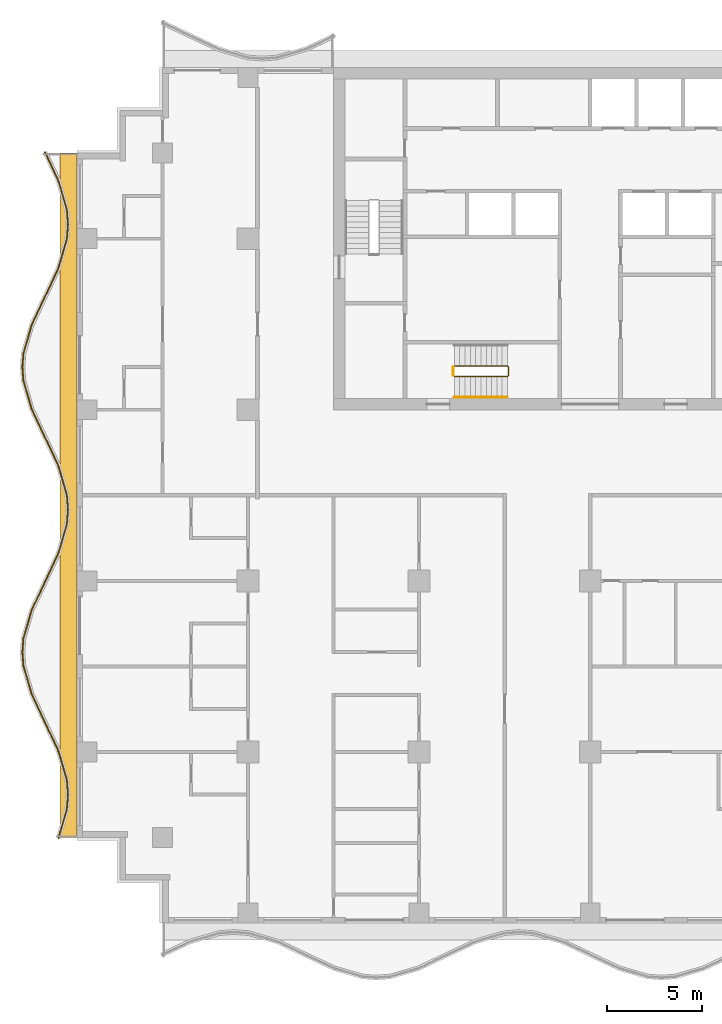
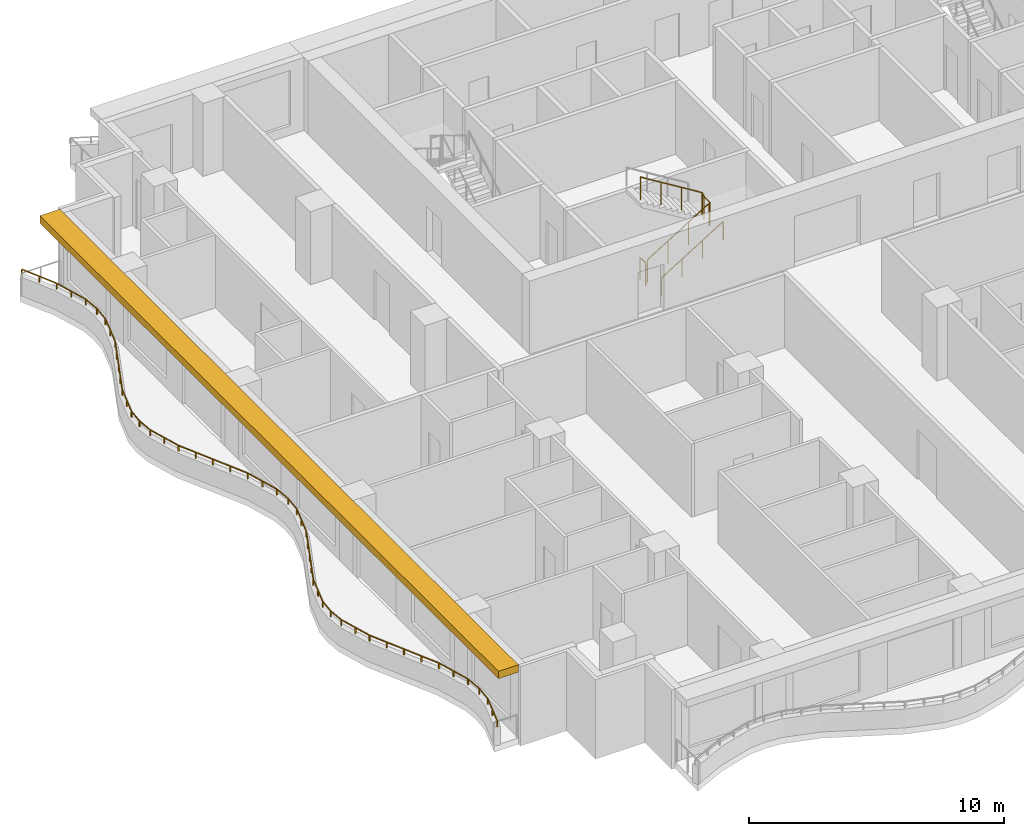
# One storey, part 9 of 11: 4 railings, 1 shading device.
"""IFC4 building model written with IfcOpenShell, lengths in metres."""

from ifc_helpers import new_model, si_unit, direction, frame, origin, origin_2d, place, context, subcontext, project, spatial, polyline, rectangle, circle, outline, extrude, material, layer, layer_set, type_object, element, save


model = new_model("IFC4")

# Units and contexts
model_context = context("Model", 3, precision=1e-05, world=origin(), true_north=direction((0.0, 1.0)))
body_context = subcontext(model_context, "Body", "Model", "MODEL_VIEW")
ifc_project = project(units=[si_unit("LENGTHUNIT", "METRE"), si_unit("AREAUNIT", "SQUARE_METRE"), si_unit("VOLUMEUNIT", "CUBIC_METRE"), si_unit("PLANEANGLEUNIT", "RADIAN"), si_unit("MASSUNIT", "GRAM", prefix="KILO")], contexts=[model_context])

# Site, building, storey
site_placement = place(None, origin())
site = spatial("IfcSite", under=ifc_project, at=site_placement, CompositionType="ELEMENT")
building_placement = place(site_placement, origin())
building = spatial("IfcBuilding", under=site, at=building_placement, Name="Orbiselva Terraces", CompositionType="ELEMENT")
storey_placement = place(building_placement, frame((0.0, 0.0, 195.8)))
storey = spatial("IfcBuildingStorey", under=building, at=storey_placement, Name="L49", CompositionType="ELEMENT", Elevation=195.8)

# Railings
ifc_material_1 = material(Name="Stainless steel", Category="steel")
railing_type_1 = type_object("IfcRailingType", Name="CORE-GUARD-1100", PredefinedType="GUARDRAIL", material=ifc_material_1)
railing_1_placement = place(storey_placement, frame((-7.15, 6.25, 0.172727)))
element("IfcRailing", 1, at=railing_1_placement, inside=storey, type_object=railing_type_1, Name="L49 S3 stair guard 1", PredefinedType="GUARDRAIL", context=body_context, shape_type="SweptSolid", body=[
    extrude(circle(Radius=0.024, at=origin_2d()), frame((0.0, 0.0, 1.081), z_axis=(0.851088519012, 0.0, 0.52502222125), x_axis=(0.0, 1.0, 0.0)), (0.0, 0.0, 1.0), 3.289905),
    extrude(circle(Radius=0.024, at=origin_2d()), frame((2.8, 0.0, 2.808273), z_axis=(0.707106781187, 0.707106781187, 0.0), x_axis=(-0.707106781187, 0.707106781187, 0.0)), (0.0, 0.0, 1.0), 0.070711),
    extrude(circle(Radius=0.024, at=origin_2d()), frame((2.85, 0.05, 2.808273), z_axis=(0.0, 1.0, 0.0), x_axis=(-1.0, 0.0, 0.0)), (0.0, 0.0, 1.0), 0.45),
    extrude(circle(Radius=0.024, at=origin_2d()), frame((2.85, 0.5, 2.808273), z_axis=(-0.267894925557, 0.267894925557, 0.925453736133), x_axis=(-0.707106781187, -0.707106781187, 0.0)), (0.0, 0.0, 1.0), 0.18664),
    extrude(circle(Radius=0.024, at=origin_2d()), frame((2.8, 0.55, 2.981), z_axis=(-0.851088519012, 0.0, 0.52502222125), x_axis=(0.0, -1.0, 0.0)), (0.0, 0.0, 1.0), 3.289905),
    extrude(circle(Radius=0.021, at=origin_2d()), origin(), (0.0, 0.0, 1.0), 1.057),
    extrude(circle(Radius=0.021, at=origin_2d()), frame((0.933333, 0.0, 0.575758)), (0.0, 0.0, 1.0), 1.057),
    extrude(circle(Radius=0.021, at=origin_2d()), frame((1.866667, 0.0, 1.151515)), (0.0, 0.0, 1.0), 1.057),
    extrude(circle(Radius=0.021, at=origin_2d()), frame((2.8, 0.0, 1.727273)), (0.0, 0.0, 1.0), 1.057),
    extrude(circle(Radius=0.021, at=origin_2d()), frame((2.85, 0.05, 1.727273)), (0.0, 0.0, 1.0), 1.057),
    extrude(circle(Radius=0.021, at=origin_2d()), frame((2.85, 0.5, 1.727273)), (0.0, 0.0, 1.0), 1.057),
    extrude(circle(Radius=0.021, at=origin_2d()), frame((2.8, 0.55, 1.9)), (0.0, 0.0, 1.0), 1.057),
    extrude(circle(Radius=0.021, at=origin_2d()), frame((1.866667, 0.55, 2.475758)), (0.0, 0.0, 1.0), 1.057),
    extrude(circle(Radius=0.021, at=origin_2d()), frame((0.933333, 0.55, 3.051515)), (0.0, 0.0, 1.0), 1.057),
    extrude(circle(Radius=0.021, at=origin_2d()), frame((0.0, 0.55, 3.627273)), (0.0, 0.0, 1.0), 1.057),
])
railing_2_placement = place(storey_placement, frame((-7.2, 6.3, 0.0)))
element("IfcRailing", 2, at=railing_2_placement, inside=storey, type_object=railing_type_1, Name="L49 S3 stair guard 2", PredefinedType="GUARDRAIL", context=body_context, shape_type="SweptSolid", body=[
    extrude(circle(Radius=0.024, at=origin_2d()), frame((0.0, 0.0, 1.081), z_axis=(0.0, 1.0, 0.0), x_axis=(-1.0, 0.0, 0.0)), (0.0, 0.0, 1.0), 0.45),
    extrude(circle(Radius=0.021, at=origin_2d()), origin(), (0.0, 0.0, 1.0), 1.057),
    extrude(circle(Radius=0.021, at=origin_2d()), frame((0.0, 0.45, 0.0)), (0.0, 0.0, 1.0), 1.057),
])
railing_type_2 = type_object("IfcRailingType", Name="CORE-HANDRAIL-900", PredefinedType="HANDRAIL", material=ifc_material_1)
railing_3_placement = place(storey_placement, frame((-7.15, 5.15, 0.172727)))
element("IfcRailing", 3, at=railing_3_placement, inside=storey, type_object=railing_type_2, Name="L49 S3 stair handrail 1", PredefinedType="HANDRAIL", context=body_context, shape_type="SweptSolid", body=[
    extrude(circle(Radius=0.024, at=origin_2d()), frame((0.0, 0.0, 0.876), z_axis=(0.851088519012, 0.0, 0.52502222125), x_axis=(0.0, 1.0, 0.0)), (0.0, 0.0, 1.0), 3.289905),
    extrude(circle(Radius=0.021, at=origin_2d()), origin(), (0.0, 0.0, 1.0), 0.852),
    extrude(circle(Radius=0.021, at=origin_2d()), frame((0.933333, 0.0, 0.575758)), (0.0, 0.0, 1.0), 0.852),
    extrude(circle(Radius=0.021, at=origin_2d()), frame((1.866667, 0.0, 1.151515)), (0.0, 0.0, 1.0), 0.852),
    extrude(circle(Radius=0.021, at=origin_2d()), frame((2.8, 0.0, 1.727273)), (0.0, 0.0, 1.0), 0.852),
])
ifc_material_2 = material(Name="Bonded two-ply safety glass balustrade, stainless steel posts", Category="steel")
railing_type_3 = type_object("IfcRailingType", Name="ENV-BALUSTRADE-1200", PredefinedType="BALUSTRADE", material=ifc_material_2)
railing_4_placement = place(storey_placement, frame((-28.686882, 18.053191, 0.9)))
element("IfcRailing", 4, at=railing_4_placement, inside=storey, type_object=railing_type_3, Name="Balcony balustrade L49 W", PredefinedType="BALUSTRADE", context=body_context, shape_type="SweptSolid", body=[
    extrude(outline(polyline([(0.028868, 0.0), (0.014434, 0.025), (-0.014434, 0.025), (-0.028868, 0.0), (-0.014434, -0.025), (0.014434, -0.025), (0.028868, 0.0)])), frame((0.0, 0.0, 0.275), z_axis=(0.425530342069, -0.904944157382, 0.0), x_axis=(0.904944157382, 0.425530342069, 0.0)), (0.0, 0.0, 1.0), 1.667376),
    extrude(outline(polyline([(0.028868, 0.0), (0.014434, 0.025), (-0.014434, 0.025), (-0.028868, 0.0), (-0.014434, -0.025), (0.014434, -0.025), (0.028868, 0.0)])), frame((0.709519, -1.508882, 0.275), z_axis=(0.279070928786, -0.960270491427, 0.0), x_axis=(0.960270491427, 0.279070928786, 0.0)), (0.0, 0.0, 1.0), 1.584712),
    extrude(outline(polyline([(0.028868, 0.0), (0.014434, 0.025), (-0.014434, 0.025), (-0.028868, 0.0), (-0.014434, -0.025), (0.014434, -0.025), (0.028868, 0.0)])), frame((1.151766, -3.030634, 0.275), z_axis=(0.078071061106, -0.996947796737, 0.0), x_axis=(0.996947796737, 0.078071061106, 0.0)), (0.0, 0.0, 1.0), 0.774922),
    extrude(outline(polyline([(0.028868, 0.0), (0.014434, 0.025), (-0.014434, 0.025), (-0.028868, 0.0), (-0.014434, -0.025), (0.014434, -0.025), (0.028868, 0.0)])), frame((1.212265, -3.803191, 0.275), z_axis=(-0.078071061106, -0.996947796737, 0.0), x_axis=(0.996947796737, -0.078071061106, 0.0)), (0.0, 0.0, 1.0), 0.774922),
    extrude(outline(polyline([(0.028868, 0.0), (0.014434, 0.025), (-0.014434, 0.025), (-0.028868, 0.0), (-0.014434, -0.025), (0.014434, -0.025), (0.028868, 0.0)])), frame((1.151766, -4.575748, 0.275), z_axis=(-0.279070928786, -0.960270491427, 0.0), x_axis=(0.960270491427, -0.279070928786, 0.0)), (0.0, 0.0, 1.0), 1.584712),
    extrude(outline(polyline([(0.028868, 0.0), (0.014434, 0.025), (-0.014434, 0.025), (-0.028868, 0.0), (-0.014434, -0.025), (0.014434, -0.025), (0.028868, 0.0)])), frame((0.709519, -6.0975, 0.275), z_axis=(-0.425530342069, -0.904944157382, 0.0), x_axis=(0.904944157382, -0.425530342069, 0.0)), (0.0, 0.0, 1.0), 1.667376),
    extrude(outline(polyline([(0.028868, 0.0), (0.014434, 0.025), (-0.014434, 0.025), (-0.028868, 0.0), (-0.014434, -0.025), (0.014434, -0.025), (0.028868, 0.0)])), frame((0.0, -7.606382, 0.275), z_axis=(-0.425529912322, -0.904944359461, 0.0), x_axis=(0.904944359461, -0.425529912322, 0.0)), (0.0, 0.0, 1.0), 1.647746),
    extrude(outline(polyline([(0.028868, 0.0), (0.014434, 0.025), (-0.014434, 0.025), (-0.028868, 0.0), (-0.014434, -0.025), (0.014434, -0.025), (0.028868, 0.0)])), frame((-0.701165, -9.0975, 0.275), z_axis=(-0.279071528957, -0.960270317007, 0.0), x_axis=(0.960270317007, -0.279071528957, 0.0)), (0.0, 0.0, 1.0), 1.539408),
    extrude(outline(polyline([(0.028868, 0.0), (0.014434, 0.025), (-0.014434, 0.025), (-0.028868, 0.0), (-0.014434, -0.025), (0.014434, -0.025), (0.028868, 0.0)])), frame((-1.13077, -10.575748, 0.275), z_axis=(-0.078069536776, -0.996947916106, 0.0), x_axis=(0.996947916106, -0.078069536776, 0.0)), (0.0, 0.0, 1.0), 0.72967),
    extrude(outline(polyline([(0.028868, 0.0), (0.014434, 0.025), (-0.014434, 0.025), (-0.028868, 0.0), (-0.014434, -0.025), (0.014434, -0.025), (0.028868, 0.0)])), frame((-1.187735, -11.303191, 0.275), z_axis=(0.078069536776, -0.996947916106, 0.0), x_axis=(0.996947916106, 0.078069536776, 0.0)), (0.0, 0.0, 1.0), 0.72967),
    extrude(outline(polyline([(0.028868, 0.0), (0.014434, 0.025), (-0.014434, 0.025), (-0.028868, 0.0), (-0.014434, -0.025), (0.014434, -0.025), (0.028868, 0.0)])), frame((-1.13077, -12.030634, 0.275), z_axis=(0.279071528957, -0.960270317007, 0.0), x_axis=(0.960270317007, 0.279071528957, 0.0)), (0.0, 0.0, 1.0), 1.539408),
    extrude(outline(polyline([(0.028868, 0.0), (0.014434, 0.025), (-0.014434, 0.025), (-0.028868, 0.0), (-0.014434, -0.025), (0.014434, -0.025), (0.028868, 0.0)])), frame((-0.701165, -13.508882, 0.275), z_axis=(0.425529912322, -0.904944359461, 0.0), x_axis=(0.904944359461, 0.425529912322, 0.0)), (0.0, 0.0, 1.0), 1.647746),
    extrude(outline(polyline([(0.028868, 0.0), (0.014434, 0.025), (-0.014434, 0.025), (-0.028868, 0.0), (-0.014434, -0.025), (0.014434, -0.025), (0.028868, 0.0)])), frame((0.0, -15.0, 0.275), z_axis=(0.425530342069, -0.904944157382, 0.0), x_axis=(0.904944157382, 0.425530342069, 0.0)), (0.0, 0.0, 1.0), 1.667376),
    extrude(outline(polyline([(0.028868, 0.0), (0.014434, 0.025), (-0.014434, 0.025), (-0.028868, 0.0), (-0.014434, -0.025), (0.014434, -0.025), (0.028868, 0.0)])), frame((0.709519, -16.508882, 0.275), z_axis=(0.279070928786, -0.960270491427, 0.0), x_axis=(0.960270491427, 0.279070928786, 0.0)), (0.0, 0.0, 1.0), 1.584712),
    extrude(outline(polyline([(0.028868, 0.0), (0.014434, 0.025), (-0.014434, 0.025), (-0.028868, 0.0), (-0.014434, -0.025), (0.014434, -0.025), (0.028868, 0.0)])), frame((1.151766, -18.030634, 0.275), z_axis=(0.078071061106, -0.996947796737, 0.0), x_axis=(0.996947796737, 0.078071061106, 0.0)), (0.0, 0.0, 1.0), 0.774922),
    extrude(outline(polyline([(0.028868, 0.0), (0.014434, 0.025), (-0.014434, 0.025), (-0.028868, 0.0), (-0.014434, -0.025), (0.014434, -0.025), (0.028868, 0.0)])), frame((1.212265, -18.803191, 0.275), z_axis=(-0.078071061106, -0.996947796737, 0.0), x_axis=(0.996947796737, -0.078071061106, 0.0)), (0.0, 0.0, 1.0), 0.774922),
    extrude(outline(polyline([(0.028868, 0.0), (0.014434, 0.025), (-0.014434, 0.025), (-0.028868, 0.0), (-0.014434, -0.025), (0.014434, -0.025), (0.028868, 0.0)])), frame((1.151766, -19.575748, 0.275), z_axis=(-0.279070928786, -0.960270491427, 0.0), x_axis=(0.960270491427, -0.279070928786, 0.0)), (0.0, 0.0, 1.0), 1.584712),
    extrude(outline(polyline([(0.028868, 0.0), (0.014434, 0.025), (-0.014434, 0.025), (-0.028868, 0.0), (-0.014434, -0.025), (0.014434, -0.025), (0.028868, 0.0)])), frame((0.709519, -21.0975, 0.275), z_axis=(-0.425530342069, -0.904944157382, 0.0), x_axis=(0.904944157382, -0.425530342069, 0.0)), (0.0, 0.0, 1.0), 1.667376),
    extrude(outline(polyline([(0.028868, 0.0), (0.014434, 0.025), (-0.014434, 0.025), (-0.028868, 0.0), (-0.014434, -0.025), (0.014434, -0.025), (0.028868, 0.0)])), frame((0.0, -22.606382, 0.275), z_axis=(-0.425529912322, -0.904944359461, 0.0), x_axis=(0.904944359461, -0.425529912322, 0.0)), (0.0, 0.0, 1.0), 1.647746),
    extrude(outline(polyline([(0.028868, 0.0), (0.014434, 0.025), (-0.014434, 0.025), (-0.028868, 0.0), (-0.014434, -0.025), (0.014434, -0.025), (0.028868, 0.0)])), frame((-0.701165, -24.0975, 0.275), z_axis=(-0.279071528957, -0.960270317007, 0.0), x_axis=(0.960270317007, -0.279071528957, 0.0)), (0.0, 0.0, 1.0), 1.539408),
    extrude(outline(polyline([(0.028868, 0.0), (0.014434, 0.025), (-0.014434, 0.025), (-0.028868, 0.0), (-0.014434, -0.025), (0.014434, -0.025), (0.028868, 0.0)])), frame((-1.13077, -25.575748, 0.275), z_axis=(-0.078069536776, -0.996947916106, 0.0), x_axis=(0.996947916106, -0.078069536776, 0.0)), (0.0, 0.0, 1.0), 0.72967),
    extrude(outline(polyline([(0.028868, 0.0), (0.014434, 0.025), (-0.014434, 0.025), (-0.028868, 0.0), (-0.014434, -0.025), (0.014434, -0.025), (0.028868, 0.0)])), frame((-1.187735, -26.303191, 0.275), z_axis=(0.078069536776, -0.996947916106, 0.0), x_axis=(0.996947916106, 0.078069536776, 0.0)), (0.0, 0.0, 1.0), 0.72967),
    extrude(outline(polyline([(0.028868, 0.0), (0.014434, 0.025), (-0.014434, 0.025), (-0.028868, 0.0), (-0.014434, -0.025), (0.014434, -0.025), (0.028868, 0.0)])), frame((-1.13077, -27.030634, 0.275), z_axis=(0.279071528957, -0.960270317007, 0.0), x_axis=(0.960270317007, 0.279071528957, 0.0)), (0.0, 0.0, 1.0), 1.539408),
    extrude(outline(polyline([(0.028868, 0.0), (0.014434, 0.025), (-0.014434, 0.025), (-0.028868, 0.0), (-0.014434, -0.025), (0.014434, -0.025), (0.028868, 0.0)])), frame((-0.701165, -28.508882, 0.275), z_axis=(0.425529912322, -0.904944359461, 0.0), x_axis=(0.904944359461, 0.425529912322, 0.0)), (0.0, 0.0, 1.0), 1.647746),
    extrude(outline(polyline([(0.028868, 0.0), (0.014434, 0.025), (-0.014434, 0.025), (-0.028868, 0.0), (-0.014434, -0.025), (0.014434, -0.025), (0.028868, 0.0)])), frame((0.0, -30.0, 0.275), z_axis=(0.425530342069, -0.904944157382, 0.0), x_axis=(0.904944157382, 0.425530342069, 0.0)), (0.0, 0.0, 1.0), 1.667376),
    extrude(outline(polyline([(0.028868, 0.0), (0.014434, 0.025), (-0.014434, 0.025), (-0.028868, 0.0), (-0.014434, -0.025), (0.014434, -0.025), (0.028868, 0.0)])), frame((0.709519, -31.508882, 0.275), z_axis=(0.279070928786, -0.960270491427, 0.0), x_axis=(0.960270491427, 0.279070928786, 0.0)), (0.0, 0.0, 1.0), 1.584712),
    extrude(outline(polyline([(0.028868, 0.0), (0.014434, 0.025), (-0.014434, 0.025), (-0.028868, 0.0), (-0.014434, -0.025), (0.014434, -0.025), (0.028868, 0.0)])), frame((1.151766, -33.030634, 0.275), z_axis=(0.078071061106, -0.996947796737, 0.0), x_axis=(0.996947796737, 0.078071061106, 0.0)), (0.0, 0.0, 1.0), 0.774922),
    extrude(outline(polyline([(0.028868, 0.0), (0.014434, 0.025), (-0.014434, 0.025), (-0.028868, 0.0), (-0.014434, -0.025), (0.014434, -0.025), (0.028868, 0.0)])), frame((1.212265, -33.803191, 0.275), z_axis=(-0.078071061106, -0.996947796737, 0.0), x_axis=(0.996947796737, -0.078071061106, 0.0)), (0.0, 0.0, 1.0), 0.774922),
    extrude(outline(polyline([(0.028868, 0.0), (0.014434, 0.025), (-0.014434, 0.025), (-0.028868, 0.0), (-0.014434, -0.025), (0.014434, -0.025), (0.028868, 0.0)])), frame((1.151766, -34.575748, 0.275), z_axis=(-0.279070966973, -0.96027048033, 0.0), x_axis=(0.96027048033, -0.279070966973, 0.0)), (0.0, 0.0, 1.0), 1.574897),
    extrude(rectangle(XDim=0.05, YDim=0.05, at=origin_2d()), origin(), (0.0, 0.0, 1.0), 0.25),
    extrude(rectangle(XDim=0.05, YDim=0.05, at=origin_2d()), frame((0.35476, -0.754441, 0.0)), (0.0, 0.0, 1.0), 0.25),
    extrude(rectangle(XDim=0.05, YDim=0.05, at=origin_2d()), frame((0.709519, -1.508882, 0.0)), (0.0, 0.0, 1.0), 0.25),
    extrude(rectangle(XDim=0.05, YDim=0.05, at=origin_2d()), frame((0.930643, -2.269758, 0.0)), (0.0, 0.0, 1.0), 0.25),
    extrude(rectangle(XDim=0.05, YDim=0.05, at=origin_2d()), frame((1.151766, -3.030634, 0.0)), (0.0, 0.0, 1.0), 0.25),
    extrude(rectangle(XDim=0.05, YDim=0.05, at=origin_2d()), frame((1.212265, -3.803191, 0.0)), (0.0, 0.0, 1.0), 0.25),
    extrude(rectangle(XDim=0.05, YDim=0.05, at=origin_2d()), frame((1.151766, -4.575748, 0.0)), (0.0, 0.0, 1.0), 0.25),
    extrude(rectangle(XDim=0.05, YDim=0.05, at=origin_2d()), frame((0.930643, -5.336624, 0.0)), (0.0, 0.0, 1.0), 0.25),
    extrude(rectangle(XDim=0.05, YDim=0.05, at=origin_2d()), frame((0.709519, -6.0975, 0.0)), (0.0, 0.0, 1.0), 0.25),
    extrude(rectangle(XDim=0.05, YDim=0.05, at=origin_2d()), frame((0.35476, -6.851941, 0.0)), (0.0, 0.0, 1.0), 0.25),
    extrude(rectangle(XDim=0.05, YDim=0.05, at=origin_2d()), frame((0.0, -7.606382, 0.0)), (0.0, 0.0, 1.0), 0.25),
    extrude(rectangle(XDim=0.05, YDim=0.05, at=origin_2d()), frame((-0.350582, -8.351941, 0.0)), (0.0, 0.0, 1.0), 0.25),
    extrude(rectangle(XDim=0.05, YDim=0.05, at=origin_2d()), frame((-0.701165, -9.0975, 0.0)), (0.0, 0.0, 1.0), 0.25),
    extrude(rectangle(XDim=0.05, YDim=0.05, at=origin_2d()), frame((-0.915967, -9.836624, 0.0)), (0.0, 0.0, 1.0), 0.25),
    extrude(rectangle(XDim=0.05, YDim=0.05, at=origin_2d()), frame((-1.13077, -10.575748, 0.0)), (0.0, 0.0, 1.0), 0.25),
    extrude(rectangle(XDim=0.05, YDim=0.05, at=origin_2d()), frame((-1.187735, -11.303191, 0.0)), (0.0, 0.0, 1.0), 0.25),
    extrude(rectangle(XDim=0.05, YDim=0.05, at=origin_2d()), frame((-1.13077, -12.030634, 0.0)), (0.0, 0.0, 1.0), 0.25),
    extrude(rectangle(XDim=0.05, YDim=0.05, at=origin_2d()), frame((-0.915967, -12.769758, 0.0)), (0.0, 0.0, 1.0), 0.25),
    extrude(rectangle(XDim=0.05, YDim=0.05, at=origin_2d()), frame((-0.701165, -13.508882, 0.0)), (0.0, 0.0, 1.0), 0.25),
    extrude(rectangle(XDim=0.05, YDim=0.05, at=origin_2d()), frame((-0.350582, -14.254441, 0.0)), (0.0, 0.0, 1.0), 0.25),
    extrude(rectangle(XDim=0.05, YDim=0.05, at=origin_2d()), frame((0.0, -15.0, 0.0)), (0.0, 0.0, 1.0), 0.25),
    extrude(rectangle(XDim=0.05, YDim=0.05, at=origin_2d()), frame((0.35476, -15.754441, 0.0)), (0.0, 0.0, 1.0), 0.25),
    extrude(rectangle(XDim=0.05, YDim=0.05, at=origin_2d()), frame((0.709519, -16.508882, 0.0)), (0.0, 0.0, 1.0), 0.25),
    extrude(rectangle(XDim=0.05, YDim=0.05, at=origin_2d()), frame((0.930643, -17.269758, 0.0)), (0.0, 0.0, 1.0), 0.25),
    extrude(rectangle(XDim=0.05, YDim=0.05, at=origin_2d()), frame((1.151766, -18.030634, 0.0)), (0.0, 0.0, 1.0), 0.25),
    extrude(rectangle(XDim=0.05, YDim=0.05, at=origin_2d()), frame((1.212265, -18.803191, 0.0)), (0.0, 0.0, 1.0), 0.25),
    extrude(rectangle(XDim=0.05, YDim=0.05, at=origin_2d()), frame((1.151766, -19.575748, 0.0)), (0.0, 0.0, 1.0), 0.25),
    extrude(rectangle(XDim=0.05, YDim=0.05, at=origin_2d()), frame((0.930643, -20.336624, 0.0)), (0.0, 0.0, 1.0), 0.25),
    extrude(rectangle(XDim=0.05, YDim=0.05, at=origin_2d()), frame((0.709519, -21.0975, 0.0)), (0.0, 0.0, 1.0), 0.25),
    extrude(rectangle(XDim=0.05, YDim=0.05, at=origin_2d()), frame((0.35476, -21.851941, 0.0)), (0.0, 0.0, 1.0), 0.25),
    extrude(rectangle(XDim=0.05, YDim=0.05, at=origin_2d()), frame((0.0, -22.606382, 0.0)), (0.0, 0.0, 1.0), 0.25),
    extrude(rectangle(XDim=0.05, YDim=0.05, at=origin_2d()), frame((-0.350582, -23.351941, 0.0)), (0.0, 0.0, 1.0), 0.25),
    extrude(rectangle(XDim=0.05, YDim=0.05, at=origin_2d()), frame((-0.701165, -24.0975, 0.0)), (0.0, 0.0, 1.0), 0.25),
    extrude(rectangle(XDim=0.05, YDim=0.05, at=origin_2d()), frame((-0.915967, -24.836624, 0.0)), (0.0, 0.0, 1.0), 0.25),
    extrude(rectangle(XDim=0.05, YDim=0.05, at=origin_2d()), frame((-1.13077, -25.575748, 0.0)), (0.0, 0.0, 1.0), 0.25),
    extrude(rectangle(XDim=0.05, YDim=0.05, at=origin_2d()), frame((-1.187735, -26.303191, 0.0)), (0.0, 0.0, 1.0), 0.25),
    extrude(rectangle(XDim=0.05, YDim=0.05, at=origin_2d()), frame((-1.13077, -27.030634, 0.0)), (0.0, 0.0, 1.0), 0.25),
    extrude(rectangle(XDim=0.05, YDim=0.05, at=origin_2d()), frame((-0.915967, -27.769758, 0.0)), (0.0, 0.0, 1.0), 0.25),
    extrude(rectangle(XDim=0.05, YDim=0.05, at=origin_2d()), frame((-0.701165, -28.508882, 0.0)), (0.0, 0.0, 1.0), 0.25),
    extrude(rectangle(XDim=0.05, YDim=0.05, at=origin_2d()), frame((-0.350582, -29.254441, 0.0)), (0.0, 0.0, 1.0), 0.25),
    extrude(rectangle(XDim=0.05, YDim=0.05, at=origin_2d()), frame((0.0, -30.0, 0.0)), (0.0, 0.0, 1.0), 0.25),
    extrude(rectangle(XDim=0.05, YDim=0.05, at=origin_2d()), frame((0.35476, -30.754441, 0.0)), (0.0, 0.0, 1.0), 0.25),
    extrude(rectangle(XDim=0.05, YDim=0.05, at=origin_2d()), frame((0.709519, -31.508882, 0.0)), (0.0, 0.0, 1.0), 0.25),
    extrude(rectangle(XDim=0.05, YDim=0.05, at=origin_2d()), frame((0.930643, -32.269758, 0.0)), (0.0, 0.0, 1.0), 0.25),
    extrude(rectangle(XDim=0.05, YDim=0.05, at=origin_2d()), frame((1.151766, -33.030634, 0.0)), (0.0, 0.0, 1.0), 0.25),
    extrude(rectangle(XDim=0.05, YDim=0.05, at=origin_2d()), frame((1.212265, -33.803191, 0.0)), (0.0, 0.0, 1.0), 0.25),
    extrude(rectangle(XDim=0.05, YDim=0.05, at=origin_2d()), frame((1.151766, -34.575748, 0.0)), (0.0, 0.0, 1.0), 0.25),
    extrude(rectangle(XDim=0.05, YDim=0.05, at=origin_2d()), frame((0.932012, -35.331912, 0.0)), (0.0, 0.0, 1.0), 0.25),
    extrude(rectangle(XDim=0.05, YDim=0.05, at=origin_2d()), frame((0.712258, -36.088075, 0.0)), (0.0, 0.0, 1.0), 0.25),
])

# Shading device
ifc_material_3 = material(Name="Terracotta baguette sunshade", Category="masonry")
ifc_layer = layer(ifc_material_3, 0.35)
ifc_layer_set = layer_set([ifc_layer], Name="Terracotta baguette sunshade")
shading_device_type = type_object("IfcShadingDeviceType", Name="ENV-SUNSHADE-900x350", PredefinedType="USERDEFINED", material=ifc_layer_set)
shading_device_placement = place(storey_placement, frame((0.0, 0.0, 3.15)))
element("IfcShadingDevice", 5, at=shading_device_placement, inside=storey, type_object=shading_device_type, Name="Sunshade band L49 W", ObjectType="SUNSHADE", PredefinedType="USERDEFINED", context=body_context, shape_type="SweptSolid", body=[
    extrude(outline(polyline([(-27.9, 18.0), (-27.9, -18.0), (-27.0, -18.0), (-27.0, 18.0), (-27.9, 18.0)])), origin(), (0.0, 0.0, 1.0), 0.35),
])

save(model, "model.ifc")
